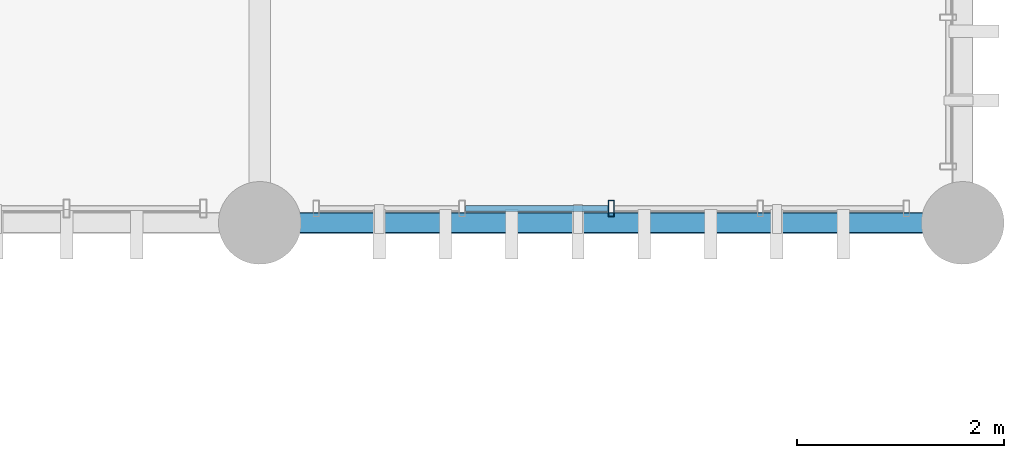
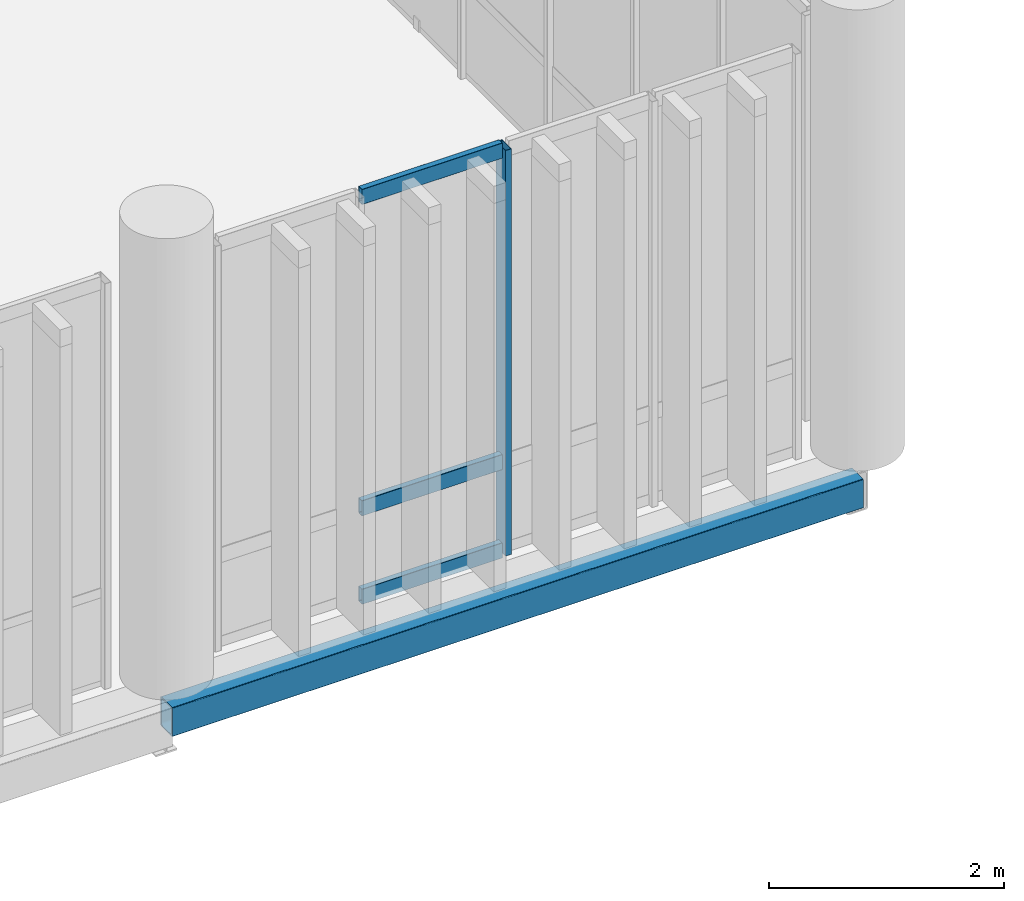
# One storey, part 66 of 109: 4 members, 1 beam, 1 element without a shape of its own.
"""IFC4 building model written with IfcOpenShell, lengths in metres."""

from ifc_helpers import new_model, si_unit, direction, frame, origin_with_axes, origin_2d_with_axis, place, context, subcontext, project, spatial, hollow_rectangle, extrude, material, material_profile, profile_set, type_object, element, aggregate, save


model = new_model("IFC4")

# Units and contexts
model_context = context("Model", 3, precision=1e-05, world=origin_with_axes(), true_north=direction((0.0, 1.0)))
body_context = subcontext(model_context, "Body", "Model", "MODEL_VIEW")
ifc_project = project(units=[si_unit("LENGTHUNIT", "METRE"), si_unit("AREAUNIT", "SQUARE_METRE"), si_unit("VOLUMEUNIT", "CUBIC_METRE"), si_unit("PLANEANGLEUNIT", "RADIAN"), si_unit("MASSUNIT", "GRAM", prefix="KILO"), si_unit("THERMODYNAMICTEMPERATUREUNIT", "KELVIN")], contexts=[model_context])

# Site, building, storey
site_placement = place(None, origin_with_axes())
site = spatial("IfcSite", under=ifc_project, at=site_placement, CompositionType="ELEMENT")
building_placement = place(site_placement, origin_with_axes())
building = spatial("IfcBuilding", under=site, at=building_placement, Name="Montbau Bow Law Courts", CompositionType="ELEMENT")
storey_placement = place(building_placement, frame((0.0, 0.0, 10.8), z_axis=(0.0, 0.0, 1.0), x_axis=(1.0, 0.0, 0.0)))
storey = spatial("IfcBuildingStorey", under=building, at=storey_placement, Name="L02", CompositionType="ELEMENT", Elevation=10.8)

# Beam
ifc_material_1 = material(Name="Steel CSA G40.21 Grade 350WT (350 MPa)", Category="steel")
ifc_material_profile_1 = material_profile(ifc_material_1, hollow_rectangle(XDim=0.203, YDim=0.305, WallThickness=0.0127, InnerFilletRadius=0.0254, OuterFilletRadius=0.0127, at=origin_2d_with_axis()), Name="HSS305X203X13", Category="Main", Priority=0)
ifc_profile_set_1 = profile_set([ifc_material_profile_1], Name="Steel CSA G40.21 Grade 350WT (350 MPa)")
beam_type = type_object("IfcBeamType", Name="B-SPN-02", PredefinedType="SPANDREL", material=ifc_profile_set_1)
beam_placement = place(None, frame((162.6, 69.6, 10.348), z_axis=(1.0, 0.0, 0.0), x_axis=(0.0, 1.0, 0.0)))
element("IfcBeam", 1, at=beam_placement, inside=storey, type_object=beam_type, Name="SPN-L02-S1168:bm2_1171", PredefinedType="SPANDREL", context=body_context, shape_type="SweptSolid", body=[
    extrude(hollow_rectangle(XDim=0.203, YDim=0.305, WallThickness=0.0127, InnerFilletRadius=0.0254, OuterFilletRadius=0.0127, at=origin_2d_with_axis()), origin_with_axes(), (0.0, 0.0, 1.0), 6.8),
])

# Curtain wall, members
ifc_material_2 = material(Name="Thermally Broken Extruded Aluminium AA 6063-T6", Category="aluminium")
curtain_wall_type = type_object("IfcCurtainWallType", Name="CW-SLT-01", PredefinedType="NOTDEFINED", material=ifc_material_2)
curtain_wall_placement = place(None, frame((163.115, 69.74, 10.8), z_axis=(0.0, 0.0, 1.0), x_axis=(1.0, 0.0, 0.0)))
curtain_wall = element("IfcCurtainWall", 2, at=curtain_wall_placement, inside=storey, type_object=curtain_wall_type, Name="CW-L02-296:cw_0296", PredefinedType="NOTDEFINED")
ifc_material_profile_2 = material_profile(ifc_material_2, hollow_rectangle(XDim=0.06, YDim=0.16, WallThickness=0.004, InnerFilletRadius=0.008, OuterFilletRadius=0.004, at=origin_2d_with_axis()), Name="CWM-160X60", Category="Main", Priority=0)
ifc_profile_set_2 = profile_set([ifc_material_profile_2], Name="Thermally Broken Extruded Aluminium AA 6063-T6")
member_type_1 = type_object("IfcMemberType", Name="M-MUL-03", PredefinedType="MULLION", material=ifc_profile_set_2)
member_1_placement = place(None, frame((166.0, 69.74, 10.8), z_axis=(0.0, 0.0, 1.0), x_axis=(1.0, 0.0, 0.0)))
member_1 = element("IfcMember", 3, at=member_1_placement, type_object=member_type_1, Name="CW-L02-296-M03:cw_0296_M03", PredefinedType="MULLION", context=body_context, shape_type="SweptSolid", body=[
    extrude(hollow_rectangle(XDim=0.06, YDim=0.16, WallThickness=0.004, InnerFilletRadius=0.008, OuterFilletRadius=0.004, at=origin_2d_with_axis()), origin_with_axes(), (0.0, 0.0, 1.0), 4.22),
])
ifc_material_profile_3 = material_profile(ifc_material_2, hollow_rectangle(XDim=0.06, YDim=0.16, WallThickness=0.004, InnerFilletRadius=0.008, OuterFilletRadius=0.004, at=origin_2d_with_axis()), Name="CWT-160X60", Category="Main", Priority=0)
ifc_profile_set_3 = profile_set([ifc_material_profile_3], Name="Thermally Broken Extruded Aluminium AA 6063-T6")
member_type_2 = type_object("IfcMemberType", Name="M-TRN-01", PredefinedType="USERDEFINED", material=ifc_profile_set_3)
member_2_placement = place(None, frame((164.589, 69.74, 10.83), z_axis=(1.0, 0.0, 0.0), x_axis=(0.0, 1.0, 0.0)))
member_2 = element("IfcMember", 4, at=member_2_placement, type_object=member_type_2, Name="CW-L02-296-T02-1:cw_0296_T02_1", ObjectType="TRANSOM", PredefinedType="USERDEFINED", context=body_context, shape_type="SweptSolid", body=[
    extrude(hollow_rectangle(XDim=0.06, YDim=0.16, WallThickness=0.004, InnerFilletRadius=0.008, OuterFilletRadius=0.004, at=origin_2d_with_axis()), origin_with_axes(), (0.0, 0.0, 1.0), 1.379),
])
member_3_placement = place(None, frame((164.589, 69.74, 11.75), z_axis=(1.0, 0.0, 0.0), x_axis=(0.0, 1.0, 0.0)))
member_3 = element("IfcMember", 5, at=member_3_placement, type_object=member_type_2, Name="CW-L02-296-T02-2:cw_0296_T02_2", ObjectType="TRANSOM", PredefinedType="USERDEFINED", context=body_context, shape_type="SweptSolid", body=[
    extrude(hollow_rectangle(XDim=0.06, YDim=0.16, WallThickness=0.004, InnerFilletRadius=0.008, OuterFilletRadius=0.004, at=origin_2d_with_axis()), origin_with_axes(), (0.0, 0.0, 1.0), 1.379),
])
member_4_placement = place(None, frame((164.589, 69.74, 14.99), z_axis=(1.0, 0.0, 0.0), x_axis=(0.0, 1.0, 0.0)))
member_4 = element("IfcMember", 6, at=member_4_placement, type_object=member_type_2, Name="CW-L02-296-T02-3:cw_0296_T02_3", ObjectType="TRANSOM", PredefinedType="USERDEFINED", context=body_context, shape_type="SweptSolid", body=[
    extrude(hollow_rectangle(XDim=0.06, YDim=0.16, WallThickness=0.004, InnerFilletRadius=0.008, OuterFilletRadius=0.004, at=origin_2d_with_axis()), origin_with_axes(), (0.0, 0.0, 1.0), 1.379),
])
aggregate(curtain_wall, [member_1, member_2, member_3, member_4])

save(model, "model.ifc")
